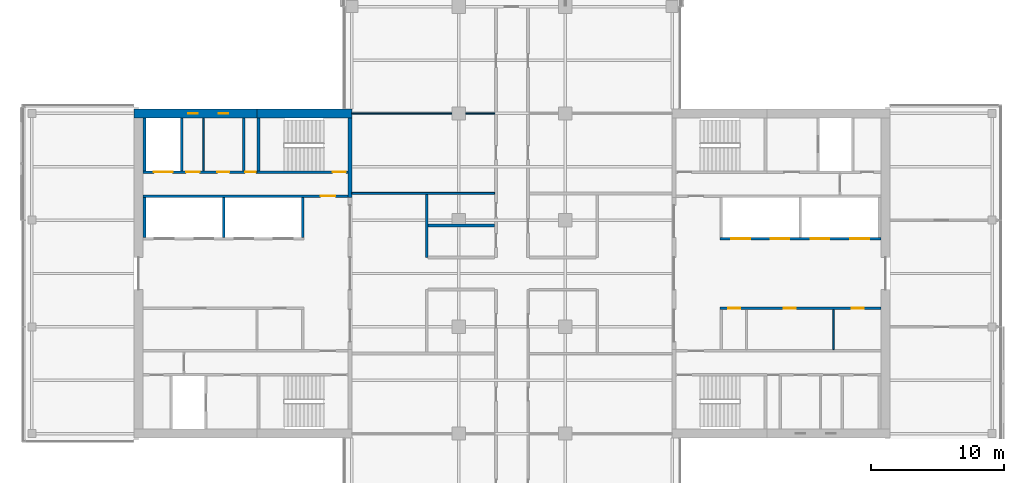
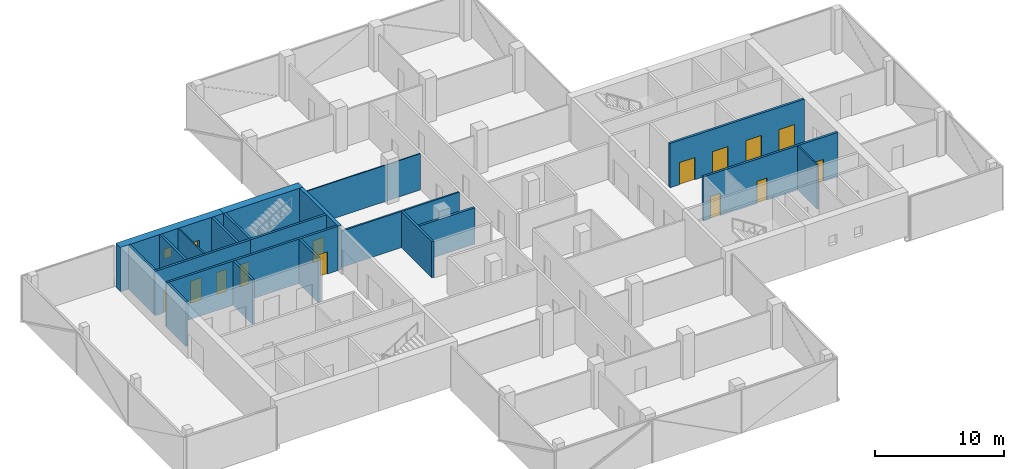
# One storey, part 15 of 22: 21 walls, 13 doors, 2 windows, 15 openings.
"""IFC4 building model written with IfcOpenShell, lengths in metres."""

from ifc_helpers import new_model, si_unit, direction, frame, frame_2d, origin, place, context, subcontext, project, spatial, rectangle, extrude, material, layer, layer_set, constituent, constituent_set, type_object, element, fill, save


model = new_model("IFC4")

# Units and contexts
model_context = context("Model", 3, precision=1e-05, world=origin(), true_north=direction((0.0, 1.0)))
body_context = subcontext(model_context, "Body", "Model", "MODEL_VIEW")
ifc_project = project(units=[si_unit("LENGTHUNIT", "METRE"), si_unit("AREAUNIT", "SQUARE_METRE"), si_unit("VOLUMEUNIT", "CUBIC_METRE"), si_unit("PLANEANGLEUNIT", "RADIAN"), si_unit("MASSUNIT", "GRAM", prefix="KILO")], contexts=[model_context])

# Site, building, storey
site_placement = place(None, origin())
site = spatial("IfcSite", under=ifc_project, at=site_placement, CompositionType="ELEMENT")
building_placement = place(site_placement, origin())
building = spatial("IfcBuilding", under=site, at=building_placement, Name="Crosswind Convention Tower", CompositionType="ELEMENT")
storey_placement = place(building_placement, frame((0.0, 0.0, 137.89990234375)))
storey = spatial("IfcBuildingStorey", under=building, at=storey_placement, Name="L28", CompositionType="ELEMENT", Elevation=137.89990234375)

# Walls
ifc_material_1 = material(Name="Concrete blockwork", Category="masonry")
ifc_layer_1 = layer(ifc_material_1, 0.199951171875)
ifc_layer_set_1 = layer_set([ifc_layer_1], Name="Blockwork partition wall 200")
wall_type_1 = type_object("IfcWallType", Name="Blockwork partition wall 200", PredefinedType="PARTITIONING", material=ifc_layer_set_1)
wall_1_placement = place(storey_placement, frame((104.89990234375, 111.64990234375, 0.0), z_axis=(0.0, 0.0, 1.0), x_axis=(0.0, -1.0, 0.0)))
element("IfcWall", 1, at=wall_1_placement, inside=storey, type_object=wall_type_1, Name="Wall MRSE W L28", PredefinedType="PARTITIONING", context=body_context, shape_type="SweptSolid", body=[
    extrude(rectangle(XDim=3.949951171875, YDim=0.199951171875, at=frame_2d((1.97509765625, 0.0))), origin(), (0.0, 0.0, 1.0), 4.2001953125),
])
ifc_layer_2 = layer(ifc_material_1, 0.199951171875)
ifc_layer_set_2 = layer_set([ifc_layer_2], Name="COMPARTMENT WALL 200 BLOCKWORK")
wall_type_2 = type_object("IfcWallType", Name="COMPARTMENT WALL 200 BLOCKWORK", PredefinedType="SOLIDWALL", material=ifc_layer_set_2)
wall_2_placement = place(storey_placement, frame((118.60009765625, 101.199951171875, 0.0), z_axis=(0.0, 0.0, 1.0), x_axis=(0.0, 1.0, 0.0)))
element("IfcWall", 2, at=wall_2_placement, inside=storey, type_object=wall_type_2, Name="Compartment wall WT42", PredefinedType="SOLIDWALL", context=body_context, shape_type="SweptSolid", body=[
    extrude(rectangle(XDim=4.72509765625, YDim=0.199951171875, at=frame_2d((2.362548828125, 0.0))), origin(), (0.0, 0.0, 1.0), 3.4365234375),
])
wall_3_placement = place(storey_placement, frame((118.699951171875, 103.60009765625, 0.0), z_axis=(0.0, 0.0, 1.0), x_axis=(1.0, 0.0, 0.0)))
element("IfcWall", 3, at=wall_3_placement, inside=storey, type_object=wall_type_2, Name="Compartment wall WT42", PredefinedType="SOLIDWALL", context=body_context, shape_type="SweptSolid", body=[
    extrude(rectangle(XDim=5.0, YDim=0.199951171875, at=frame_2d((2.5, 0.0))), origin(), (0.0, 0.0, 1.0), 3.4365234375),
])
ifc_material_2 = material(Name="Concrete C50/60", Category="concrete")
ifc_layer_3 = layer(ifc_material_2, 0.300048828125)
ifc_layer_set_3 = layer_set([ifc_layer_3], Name="Concrete C50/60")
wall_type_3 = type_object("IfcWallType", Name="Concrete inner core wall 300", PredefinedType="SHEAR", material=ifc_layer_set_3)
wall_4_placement = place(storey_placement, frame((112.85009765625, 111.64990234375, 0.0), z_axis=(0.0, 0.0, 1.0), x_axis=(0.0, -1.0, 0.0)))
element("IfcWall", 4, at=wall_4_placement, inside=storey, type_object=wall_type_3, Name="Wall EM W L28", PredefinedType="SHEAR", context=body_context, shape_type="SweptSolid", body=[
    extrude(rectangle(XDim=5.949951171875, YDim=0.300048828125, at=frame_2d((2.97509765625, 0.0))), origin(), (0.0, 0.0, 1.0), 4.2001953125),
])

# Wall, openings, doors
ifc_layer_4 = layer(ifc_material_2, 0.199951171875)
ifc_layer_set_4 = layer_set([ifc_layer_4], Name="Concrete C50/60")
wall_type_4 = type_object("IfcWallType", Name="Concrete shaft and stair wall 200", PredefinedType="SHEAR", material=ifc_layer_set_4)
wall_5_placement = place(storey_placement, frame((140.60009765625, 102.60009765625, 0.0), z_axis=(0.0, 0.0, 1.0), x_axis=(1.0, 0.0, 0.0)))
wall_5 = element("IfcWall", 5, at=wall_5_placement, inside=storey, type_object=wall_type_4, Name="Wall RPFRONT E L28", PredefinedType="SHEAR", context=body_context, shape_type="SweptSolid", body=[
    extrude(rectangle(XDim=12.0498046875, YDim=0.199951171875, at=frame_2d((6.02490234375, 0.0))), origin(), (0.0, 0.0, 1.0), 4.2001953125),
])
opening_1_placement = place(wall_5_placement, frame((0.85009765625, 0.0, 0.0)))
opening_1 = element("IfcOpeningElement", 6, at=opening_1_placement, cuts=wall_5, Name="Opening LD2", PredefinedType="OPENING", context=body_context, shape_type="SweptSolid", body=[
    extrude(rectangle(XDim=1.39990234375, YDim=2.10009765625, at=frame_2d((0.699951171875, 1.050048828125))), frame((0.0, 0.10986328125, 0.0), z_axis=(0.0, -1.0, 0.0), x_axis=(1.0, 0.0, 0.0)), (0.0, 0.0, 1.0), 0.219970703125),
])
opening_2_placement = place(wall_5_placement, frame((3.800048828125, 0.0, 0.0)))
opening_2 = element("IfcOpeningElement", 7, at=opening_2_placement, cuts=wall_5, Name="Opening LD2", PredefinedType="OPENING", context=body_context, shape_type="SweptSolid", body=[
    extrude(rectangle(XDim=1.39990234375, YDim=2.10009765625, at=frame_2d((0.699951171875, 1.050048828125))), frame((0.0, 0.10986328125, 0.0), z_axis=(0.0, -1.0, 0.0), x_axis=(1.0, 0.0, 0.0)), (0.0, 0.0, 1.0), 0.219970703125),
])
opening_3_placement = place(wall_5_placement, frame((6.800048828125, 0.0, 0.0)))
opening_3 = element("IfcOpeningElement", 8, at=opening_3_placement, cuts=wall_5, Name="Opening LD2", PredefinedType="OPENING", context=body_context, shape_type="SweptSolid", body=[
    extrude(rectangle(XDim=1.39990234375, YDim=2.10009765625, at=frame_2d((0.699951171875, 1.050048828125))), frame((0.0, 0.10986328125, 0.0), z_axis=(0.0, -1.0, 0.0), x_axis=(1.0, 0.0, 0.0)), (0.0, 0.0, 1.0), 0.219970703125),
])
opening_4_placement = place(wall_5_placement, frame((9.77490234375, 0.0, 0.0)))
opening_4 = element("IfcOpeningElement", 9, at=opening_4_placement, cuts=wall_5, Name="Opening LD2", PredefinedType="OPENING", context=body_context, shape_type="SweptSolid", body=[
    extrude(rectangle(XDim=1.39990234375, YDim=2.10009765625, at=frame_2d((0.699951171875, 1.050048828125))), frame((0.0, 0.10986328125, 0.0), z_axis=(0.0, -1.0, 0.0), x_axis=(1.0, 0.0, 0.0)), (0.0, 0.0, 1.0), 0.219970703125),
])
ifc_material_3 = material(Name="Stainless steel", Category="steel")
door_type_1 = type_object("IfcDoorType", Name="Lift landing door 1400x2100", OperationType="DOUBLE_DOOR_SLIDING", PredefinedType="DOOR", material=ifc_material_3)
door_1_placement = place(opening_1_placement, origin())
door_1 = element("IfcDoor", 10, at=door_1_placement, inside=storey, type_object=door_type_1, Name="Landing door A1 L28", ObjectType="LD2", OperationType="DOUBLE_DOOR_SLIDING", OverallHeight=2.10009765625, OverallWidth=1.39990234375, PredefinedType="DOOR", context=body_context, shape_type="SweptSolid", body=[
    extrude(rectangle(XDim=1.39990234375, YDim=2.10009765625, at=frame_2d((0.699951171875, 1.050048828125))), frame((0.0, 0.02490234375, 0.0), z_axis=(0.0, -1.0, 0.0), x_axis=(1.0, 0.0, 0.0)), (0.0, 0.0, 1.0), 0.050048828125),
])
fill(opening_1, door_1)
door_2_placement = place(opening_2_placement, origin())
door_2 = element("IfcDoor", 11, at=door_2_placement, inside=storey, type_object=door_type_1, Name="Landing door A2 L28", ObjectType="LD2", OperationType="DOUBLE_DOOR_SLIDING", OverallHeight=2.10009765625, OverallWidth=1.39990234375, PredefinedType="DOOR", context=body_context, shape_type="SweptSolid", body=[
    extrude(rectangle(XDim=1.39990234375, YDim=2.10009765625, at=frame_2d((0.699951171875, 1.050048828125))), frame((0.0, 0.02490234375, 0.0), z_axis=(0.0, -1.0, 0.0), x_axis=(1.0, 0.0, 0.0)), (0.0, 0.0, 1.0), 0.050048828125),
])
fill(opening_2, door_2)
door_3_placement = place(opening_3_placement, origin())
door_3 = element("IfcDoor", 12, at=door_3_placement, inside=storey, type_object=door_type_1, Name="Landing door A3 L28", ObjectType="LD2", OperationType="DOUBLE_DOOR_SLIDING", OverallHeight=2.10009765625, OverallWidth=1.39990234375, PredefinedType="DOOR", context=body_context, shape_type="SweptSolid", body=[
    extrude(rectangle(XDim=1.39990234375, YDim=2.10009765625, at=frame_2d((0.699951171875, 1.050048828125))), frame((0.0, 0.02490234375, 0.0), z_axis=(0.0, -1.0, 0.0), x_axis=(1.0, 0.0, 0.0)), (0.0, 0.0, 1.0), 0.050048828125),
])
fill(opening_3, door_3)
door_4_placement = place(opening_4_placement, origin())
door_4 = element("IfcDoor", 13, at=door_4_placement, inside=storey, type_object=door_type_1, Name="Landing door A4 L28", ObjectType="LD2", OperationType="DOUBLE_DOOR_SLIDING", OverallHeight=2.10009765625, OverallWidth=1.39990234375, PredefinedType="DOOR", context=body_context, shape_type="SweptSolid", body=[
    extrude(rectangle(XDim=1.39990234375, YDim=2.10009765625, at=frame_2d((0.699951171875, 1.050048828125))), frame((0.0, 0.02490234375, 0.0), z_axis=(0.0, -1.0, 0.0), x_axis=(1.0, 0.0, 0.0)), (0.0, 0.0, 1.0), 0.050048828125),
])
fill(opening_4, door_4)

wall_6_placement = place(storey_placement, frame((140.60009765625, 97.39990234375, 0.0), z_axis=(0.0, 0.0, 1.0), x_axis=(1.0, 0.0, 0.0)))
wall_6 = element("IfcWall", 14, at=wall_6_placement, inside=storey, type_object=wall_type_4, Name="Wall RMFRONT E L28", PredefinedType="SHEAR", context=body_context, shape_type="SweptSolid", body=[
    extrude(rectangle(XDim=12.0498046875, YDim=0.199951171875, at=frame_2d((6.02490234375, 0.0))), origin(), (0.0, 0.0, 1.0), 4.2001953125),
])
opening_5_placement = place(wall_6_placement, frame((0.607421875, 0.0, 0.0)))
opening_5 = element("IfcOpeningElement", 15, at=opening_5_placement, cuts=wall_6, Name="Opening D106", PredefinedType="OPENING", context=body_context, shape_type="SweptSolid", body=[
    extrude(rectangle(XDim=0.89990234375, YDim=2.10009765625, at=frame_2d((0.449951171875, 1.050048828125))), frame((0.0, 0.10986328125, 0.0), z_axis=(0.0, -1.0, 0.0), x_axis=(1.0, 0.0, 0.0)), (0.0, 0.0, 1.0), 0.219970703125),
])
opening_6_placement = place(wall_6_placement, frame((4.7861328125, 0.0, 0.0)))
opening_6 = element("IfcOpeningElement", 16, at=opening_6_placement, cuts=wall_6, Name="Opening D106", PredefinedType="OPENING", context=body_context, shape_type="SweptSolid", body=[
    extrude(rectangle(XDim=0.89990234375, YDim=2.10009765625, at=frame_2d((0.449951171875, 1.050048828125))), frame((0.0, 0.10986328125, 0.0), z_axis=(0.0, -1.0, 0.0), x_axis=(1.0, 0.0, 0.0)), (0.0, 0.0, 1.0), 0.219970703125),
])
opening_7_placement = place(wall_6_placement, frame((9.853759765625, 0.0, 0.0)))
opening_7 = element("IfcOpeningElement", 17, at=opening_7_placement, cuts=wall_6, Name="Opening D106", PredefinedType="OPENING", context=body_context, shape_type="SweptSolid", body=[
    extrude(rectangle(XDim=0.89990234375, YDim=2.10009765625, at=frame_2d((0.449951171875, 1.050048828125))), frame((0.0, 0.10986328125, 0.0), z_axis=(0.0, -1.0, 0.0), x_axis=(1.0, 0.0, 0.0)), (0.0, 0.0, 1.0), 0.219970703125),
])
ifc_material_4 = material(Name="Timber door", Category="wood")
door_type_2 = type_object("IfcDoorType", Name="Single leaf door 900x2100", OperationType="NOTDEFINED", PredefinedType="DOOR", material=ifc_material_4)
door_5_placement = place(opening_5_placement, frame((0.89990234375, 0.0, 0.0), z_axis=(0.0, 0.0, 1.0), x_axis=(-1.0, 0.0, 0.0)))
door_5 = element("IfcDoor", 18, at=door_5_placement, inside=storey, type_object=door_type_2, Name="Door to storeroom L28", ObjectType="D106", OperationType="SINGLE_SWING_LEFT", OverallHeight=2.10009765625, OverallWidth=0.89990234375, PredefinedType="DOOR", context=body_context, shape_type="SweptSolid", body=[
    extrude(rectangle(XDim=0.89990234375, YDim=2.10009765625, at=frame_2d((0.449951171875, 1.050048828125))), frame((0.0, 0.02490234375, 0.0), z_axis=(0.0, -1.0, 0.0), x_axis=(1.0, 0.0, 0.0)), (0.0, 0.0, 1.0), 0.050048828125),
])
fill(opening_5, door_5)
door_6_placement = place(opening_6_placement, frame((0.89990234375, 0.0, 0.0), z_axis=(0.0, 0.0, 1.0), x_axis=(-1.0, 0.0, 0.0)))
door_6 = element("IfcDoor", 19, at=door_6_placement, inside=storey, type_object=door_type_2, Name="Door to tenant services room L28", ObjectType="D106", OperationType="SINGLE_SWING_LEFT", OverallHeight=2.10009765625, OverallWidth=0.89990234375, PredefinedType="DOOR", context=body_context, shape_type="SweptSolid", body=[
    extrude(rectangle(XDim=0.89990234375, YDim=2.10009765625, at=frame_2d((0.449951171875, 1.050048828125))), frame((0.0, 0.02490234375, 0.0), z_axis=(0.0, -1.0, 0.0), x_axis=(1.0, 0.0, 0.0)), (0.0, 0.0, 1.0), 0.050048828125),
])
fill(opening_6, door_6)
door_7_placement = place(opening_7_placement, frame((0.89990234375, 0.0, 0.0), z_axis=(0.0, 0.0, 1.0), x_axis=(-1.0, 0.0, 0.0)))
door_7 = element("IfcDoor", 20, at=door_7_placement, inside=storey, type_object=door_type_2, Name="Door to copy and print room L28", ObjectType="D106", OperationType="SINGLE_SWING_LEFT", OverallHeight=2.10009765625, OverallWidth=0.89990234375, PredefinedType="DOOR", context=body_context, shape_type="SweptSolid", body=[
    extrude(rectangle(XDim=0.89990234375, YDim=2.10009765625, at=frame_2d((0.449951171875, 1.050048828125))), frame((0.0, 0.02490234375, 0.0), z_axis=(0.0, -1.0, 0.0), x_axis=(1.0, 0.0, 0.0)), (0.0, 0.0, 1.0), 0.050048828125),
])
fill(opening_7, door_7)

# Walls
for number, where, z_axis, x_axis, name in (
    (21, (109.300048828125, 105.699951171875, 0.0), (0.0, 0.0, 1.0), (0.0, -1.0, 0.0), "Wall RMEND W L28"),
    (22, (103.39990234375, 105.699951171875, 0.0), (0.0, 0.0, 1.0), (0.0, -1.0, 0.0), "Wall RMSEP W L28"),
    (23, (97.449951171875, 105.699951171875, 0.0), (0.0, 0.0, 1.0), (0.0, -1.0, 0.0), "Wall RMEAST W L28"),
):
    element("IfcWall", number, at=place(storey_placement, frame(where, z_axis=z_axis, x_axis=x_axis)), inside=storey, type_object=wall_type_4, Name=name, PredefinedType="SHEAR", context=body_context, shape_type="SweptSolid", body=[
        extrude(rectangle(XDim=3.0, YDim=0.199951171875, at=frame_2d((1.5, 0.0))), origin(), (0.0, 0.0, 1.0), 4.2001953125),
    ])

# Wall, opening, door
wall_7_placement = place(storey_placement, frame((112.699951171875, 105.800048828125, 0.0), z_axis=(0.0, 0.0, 1.0), x_axis=(-1.0, 0.0, 0.0)))
wall_7 = element("IfcWall", 24, at=wall_7_placement, inside=storey, type_object=wall_type_4, Name="Wall HM W L28", PredefinedType="SHEAR", context=body_context, shape_type="SweptSolid", body=[
    extrude(rectangle(XDim=15.349853515625, YDim=0.199951171875, at=frame_2d((7.6748046875, 0.0))), origin(), (0.0, 0.0, 1.0), 4.2001953125),
])
opening_8_placement = place(wall_7_placement, frame((0.949951171875, 0.0, 0.0)))
opening_8 = element("IfcOpeningElement", 25, at=opening_8_placement, cuts=wall_7, Name="Opening D104", PredefinedType="OPENING", context=body_context, shape_type="SweptSolid", body=[
    extrude(rectangle(XDim=1.10009765625, YDim=2.10009765625, at=frame_2d((0.550048828125, 1.050048828125))), frame((0.0, 0.10986328125, 0.0), z_axis=(0.0, -1.0, 0.0), x_axis=(1.0, 0.0, 0.0)), (0.0, 0.0, 1.0), 0.219970703125),
])
ifc_material_5 = material(Name="Steel fire door", Category="steel")
door_type_3 = type_object("IfcDoorType", Name="Fire-rated single door 1100x2100", OperationType="NOTDEFINED", PredefinedType="DOOR", material=ifc_material_5)
door_8_placement = place(opening_8_placement, origin())
door_8 = element("IfcDoor", 26, at=door_8_placement, inside=storey, type_object=door_type_3, Name="Corridor door L28", ObjectType="D104", OperationType="SINGLE_SWING_LEFT", OverallHeight=2.10009765625, OverallWidth=1.10009765625, PredefinedType="DOOR", context=body_context, shape_type="SweptSolid", body=[
    extrude(rectangle(XDim=1.10009765625, YDim=2.10009765625, at=frame_2d((0.550048828125, 1.050048828125))), frame((0.0, 0.02490234375, 0.0), z_axis=(0.0, -1.0, 0.0), x_axis=(1.0, 0.0, 0.0)), (0.0, 0.0, 1.0), 0.050048828125),
])
fill(opening_8, door_8)

# Walls
for number, where, z_axis, x_axis, name in (
    (27, (106.0, 111.64990234375, 0.0), (0.0, 0.0, 1.0), (0.0, -1.0, 0.0), "Wall MSE W L28"),
    (28, (100.25, 111.64990234375, 0.0), (0.0, 0.0, 1.0), (0.0, -1.0, 0.0), "Wall MFSW W L28"),
    (29, (97.449951171875, 111.64990234375, 0.0), (0.0, 0.0, 1.0), (0.0, -1.0, 0.0), "Wall MFSE W L28"),
):
    element("IfcWall", number, at=place(storey_placement, frame(where, z_axis=z_axis, x_axis=x_axis)), inside=storey, type_object=wall_type_4, Name=name, PredefinedType="SHEAR", context=body_context, shape_type="SweptSolid", body=[
        extrude(rectangle(XDim=3.949951171875, YDim=0.199951171875, at=frame_2d((1.97509765625, 0.0))), origin(), (0.0, 0.0, 1.0), 4.2001953125),
    ])

# Wall, opening, door
wall_8_placement = place(storey_placement, frame((112.699951171875, 107.60009765625, 0.0), z_axis=(0.0, 0.0, 1.0), x_axis=(-1.0, 0.0, 0.0)))
wall_8 = element("IfcWall", 30, at=wall_8_placement, inside=storey, type_object=wall_type_4, Name="Wall MCW W L28", PredefinedType="SHEAR", context=body_context, shape_type="SweptSolid", body=[
    extrude(rectangle(XDim=6.800048828125, YDim=0.199951171875, at=frame_2d((3.39990234375, 0.0))), origin(), (0.0, 0.0, 1.0), 4.2001953125),
])
opening_9_placement = place(wall_8_placement, frame((0.14990234375, 0.0, 0.0)))
opening_9 = element("IfcOpeningElement", 31, at=opening_9_placement, cuts=wall_8, Name="Opening D103", PredefinedType="OPENING", context=body_context, shape_type="SweptSolid", body=[
    extrude(rectangle(XDim=1.0, YDim=2.10009765625, at=frame_2d((0.5, 1.050048828125))), frame((0.0, 0.10986328125, 0.0), z_axis=(0.0, -1.0, 0.0), x_axis=(1.0, 0.0, 0.0)), (0.0, 0.0, 1.0), 0.219970703125),
])
door_type_4 = type_object("IfcDoorType", Name="Fire-rated single door 1000x2100", OperationType="NOTDEFINED", PredefinedType="DOOR", material=ifc_material_5)
door_9_placement = place(opening_9_placement, frame((1.0, 0.0, 0.0), z_axis=(0.0, 0.0, 1.0), x_axis=(-1.0, 0.0, 0.0)))
door_9 = element("IfcDoor", 32, at=door_9_placement, inside=storey, type_object=door_type_4, Name="Stair ST4 door L28", ObjectType="D103", OperationType="SINGLE_SWING_RIGHT", OverallHeight=2.10009765625, OverallWidth=1.0, PredefinedType="DOOR", context=body_context, shape_type="SweptSolid", body=[
    extrude(rectangle(XDim=1.0, YDim=2.10009765625, at=frame_2d((0.5, 1.050048828125))), frame((0.0, 0.02490234375, 0.0), z_axis=(0.0, -1.0, 0.0), x_axis=(1.0, 0.0, 0.0)), (0.0, 0.0, 1.0), 0.050048828125),
])
fill(opening_9, door_9)

# Wall, openings, doors
wall_9_placement = place(storey_placement, frame((105.89990234375, 107.60009765625, 0.0), z_axis=(0.0, 0.0, 1.0), x_axis=(-1.0, 0.0, 0.0)))
wall_9 = element("IfcWall", 33, at=wall_9_placement, inside=storey, type_object=wall_type_4, Name="Wall MCX W L28", PredefinedType="SHEAR", context=body_context, shape_type="SweptSolid", body=[
    extrude(rectangle(XDim=8.5498046875, YDim=0.199951171875, at=frame_2d((4.27490234375, 0.0))), origin(), (0.0, 0.0, 1.0), 4.2001953125),
])
opening_10_placement = place(wall_9_placement, frame((0.10009765625, 0.0, 0.0)))
opening_10 = element("IfcOpeningElement", 34, at=opening_10_placement, cuts=wall_9, Name="Opening D105", PredefinedType="OPENING", context=body_context, shape_type="SweptSolid", body=[
    extrude(rectangle(XDim=0.800048828125, YDim=2.10009765625, at=frame_2d((0.39990234375, 1.050048828125))), frame((0.0, 0.10986328125, 0.0), z_axis=(0.0, -1.0, 0.0), x_axis=(1.0, 0.0, 0.0)), (0.0, 0.0, 1.0), 0.219970703125),
])
opening_11_placement = place(wall_9_placement, frame((2.087158203125, 0.0, 0.0)))
opening_11 = element("IfcOpeningElement", 35, at=opening_11_placement, cuts=wall_9, Name="Opening D106", PredefinedType="OPENING", context=body_context, shape_type="SweptSolid", body=[
    extrude(rectangle(XDim=0.89990234375, YDim=2.10009765625, at=frame_2d((0.449951171875, 1.050048828125))), frame((0.0, 0.10986328125, 0.0), z_axis=(0.0, -1.0, 0.0), x_axis=(1.0, 0.0, 0.0)), (0.0, 0.0, 1.0), 0.219970703125),
])
opening_12_placement = place(wall_9_placement, frame((4.32470703125, 0.0, 0.0)))
opening_12 = element("IfcOpeningElement", 36, at=opening_12_placement, cuts=wall_9, Name="Opening D103", PredefinedType="OPENING", context=body_context, shape_type="SweptSolid", body=[
    extrude(rectangle(XDim=1.0, YDim=2.10009765625, at=frame_2d((0.5, 1.050048828125))), frame((0.0, 0.10986328125, 0.0), z_axis=(0.0, -1.0, 0.0), x_axis=(1.0, 0.0, 0.0)), (0.0, 0.0, 1.0), 0.219970703125),
])
opening_13_placement = place(wall_9_placement, frame((6.35009765625, 0.0, 0.0)))
opening_13 = element("IfcOpeningElement", 37, at=opening_13_placement, cuts=wall_9, Name="Opening LD2", PredefinedType="OPENING", context=body_context, shape_type="SweptSolid", body=[
    extrude(rectangle(XDim=1.39990234375, YDim=2.10009765625, at=frame_2d((0.699951171875, 1.050048828125))), frame((0.0, 0.10986328125, 0.0), z_axis=(0.0, -1.0, 0.0), x_axis=(1.0, 0.0, 0.0)), (0.0, 0.0, 1.0), 0.219970703125),
])
door_10_placement = place(opening_12_placement, frame((1.0, 0.0, 0.0), z_axis=(0.0, 0.0, 1.0), x_axis=(-1.0, 0.0, 0.0)))
door_10 = element("IfcDoor", 38, at=door_10_placement, inside=storey, type_object=door_type_4, Name="Door to accessible wc L28", ObjectType="D103", OperationType="SINGLE_SWING_LEFT", OverallHeight=2.10009765625, OverallWidth=1.0, PredefinedType="DOOR", context=body_context, shape_type="SweptSolid", body=[
    extrude(rectangle(XDim=1.0, YDim=2.10009765625, at=frame_2d((0.5, 1.050048828125))), frame((0.0, 0.02490234375, 0.0), z_axis=(0.0, -1.0, 0.0), x_axis=(1.0, 0.0, 0.0)), (0.0, 0.0, 1.0), 0.050048828125),
])
fill(opening_12, door_10)
door_11_placement = place(opening_13_placement, origin())
door_11 = element("IfcDoor", 39, at=door_11_placement, inside=storey, type_object=door_type_1, Name="Landing door SV2 L28", ObjectType="LD2", OperationType="DOUBLE_DOOR_SLIDING", OverallHeight=2.10009765625, OverallWidth=1.39990234375, PredefinedType="DOOR", context=body_context, shape_type="SweptSolid", body=[
    extrude(rectangle(XDim=1.39990234375, YDim=2.10009765625, at=frame_2d((0.699951171875, 1.050048828125))), frame((0.0, 0.02490234375, 0.0), z_axis=(0.0, -1.0, 0.0), x_axis=(1.0, 0.0, 0.0)), (0.0, 0.0, 1.0), 0.050048828125),
])
fill(opening_13, door_11)
door_type_5 = type_object("IfcDoorType", Name="Riser access door 800x2100", OperationType="NOTDEFINED", PredefinedType="DOOR", material=ifc_material_5)
door_12_placement = place(opening_10_placement, frame((0.800048828125, 0.0, 0.0), z_axis=(0.0, 0.0, 1.0), x_axis=(-1.0, 0.0, 0.0)))
door_12 = element("IfcDoor", 40, at=door_12_placement, inside=storey, type_object=door_type_5, Name="Riser door L28", ObjectType="D105", OperationType="SINGLE_SWING_LEFT", OverallHeight=2.10009765625, OverallWidth=0.800048828125, PredefinedType="DOOR", context=body_context, shape_type="SweptSolid", body=[
    extrude(rectangle(XDim=0.800048828125, YDim=2.10009765625, at=frame_2d((0.39990234375, 1.050048828125))), frame((0.0, 0.02490234375, 0.0), z_axis=(0.0, -1.0, 0.0), x_axis=(1.0, 0.0, 0.0)), (0.0, 0.0, 1.0), 0.050048828125),
])
fill(opening_10, door_12)
door_13_placement = place(opening_11_placement, frame((0.89990234375, 0.0, 0.0), z_axis=(0.0, 0.0, 1.0), x_axis=(-1.0, 0.0, 0.0)))
door_13 = element("IfcDoor", 41, at=door_13_placement, inside=storey, type_object=door_type_2, Name="Door to wc L28", ObjectType="D106", OperationType="SINGLE_SWING_LEFT", OverallHeight=2.10009765625, OverallWidth=0.89990234375, PredefinedType="DOOR", context=body_context, shape_type="SweptSolid", body=[
    extrude(rectangle(XDim=0.89990234375, YDim=2.10009765625, at=frame_2d((0.449951171875, 1.050048828125))), frame((0.0, 0.02490234375, 0.0), z_axis=(0.0, -1.0, 0.0), x_axis=(1.0, 0.0, 0.0)), (0.0, 0.0, 1.0), 0.050048828125),
])
fill(opening_11, door_13)

# Walls
ifc_material_6 = material(Name="Gypsum plasterboard partition", Category="gypsum")
ifc_layer_5 = layer(ifc_material_6, 0.125)
ifc_layer_set_5 = layer_set([ifc_layer_5], Name="Drywall partition wall 125")
wall_type_5 = type_object("IfcWallType", Name="Drywall partition wall 125", PredefinedType="PARTITIONING", material=ifc_layer_set_5)
wall_10_placement = place(storey_placement, frame((149.094970703125, 94.300048828125, 0.0), z_axis=(0.0, 0.0, 1.0), x_axis=(0.0, 1.0, 0.0)))
element("IfcWall", 42, at=wall_10_placement, inside=storey, type_object=wall_type_5, Name="Wall RMP2 E L28", PredefinedType="PARTITIONING", context=body_context, shape_type="SweptSolid", body=[
    extrude(rectangle(XDim=3.0, YDim=0.125, at=frame_2d((1.5, 0.0))), origin(), (0.0, 0.0, 1.0), 4.2001953125),
])
wall_11_placement = place(storey_placement, frame((101.863037109375, 111.64990234375, 0.0), z_axis=(0.0, 0.0, 1.0), x_axis=(0.0, -1.0, 0.0)))
element("IfcWall", 43, at=wall_11_placement, inside=storey, type_object=wall_type_5, Name="Wall MWP1 W L28", PredefinedType="PARTITIONING", context=body_context, shape_type="SweptSolid", body=[
    extrude(rectangle(XDim=3.949951171875, YDim=0.125, at=frame_2d((1.97509765625, 0.0))), origin(), (0.0, 0.0, 1.0), 4.2001953125),
])
ifc_material_7 = material(Name="Plasterboard partition", Category="gypsum")
ifc_layer_6 = layer(ifc_material_7, 0.10009765625)
ifc_layer_set_6 = layer_set([ifc_layer_6], Name="PARTITION 100 METAL STUD")
wall_type_6 = type_object("IfcWallType", Name="PARTITION 100 METAL STUD", PredefinedType="PARTITIONING", material=ifc_layer_set_6)
wall_12_placement = place(storey_placement, frame((113.0, 112.0, 0.0), z_axis=(0.0, 0.0, 1.0), x_axis=(1.0, 0.0, 0.0)))
element("IfcWall", 44, at=wall_12_placement, inside=storey, type_object=wall_type_6, Name="Partition wall WT40", PredefinedType="PARTITIONING", context=body_context, shape_type="SweptSolid", body=[
    extrude(rectangle(XDim=10.699951171875, YDim=0.10009765625, at=frame_2d((5.35009765625, 0.0))), origin(), (0.0, 0.0, 1.0), 3.4365234375),
])
ifc_material_8 = material(Name="Fire-board partition with mineral wool", Category="gypsum")
ifc_layer_7 = layer(ifc_material_8, 0.14990234375)
ifc_layer_set_7 = layer_set([ifc_layer_7], Name="TENANCY WALL 150 TWO-HOUR BOARD")
wall_type_7 = type_object("IfcWallType", Name="TENANCY WALL 150 TWO-HOUR BOARD", PredefinedType="PARTITIONING", material=ifc_layer_set_7)
wall_13_placement = place(storey_placement, frame((113.0, 106.0, 0.0), z_axis=(0.0, 0.0, 1.0), x_axis=(1.0, 0.0, 0.0)))
element("IfcWall", 45, at=wall_13_placement, inside=storey, type_object=wall_type_7, Name="Tenancy wall WT41", PredefinedType="PARTITIONING", context=body_context, shape_type="SweptSolid", body=[
    extrude(rectangle(XDim=10.699951171875, YDim=0.14990234375, at=frame_2d((5.35009765625, 0.0))), origin(), (0.0, 0.0, 1.0), 3.4365234375),
])
ifc_material_9 = material(Name="Concrete C60/75", Category="concrete")
ifc_constituent_1 = constituent(ifc_material_9, Name="Structure")
ifc_material_10 = material(Name="Terracotta rainscreen", Category="ceramic")
ifc_constituent_2 = constituent(ifc_material_10, Name="Facing")
ifc_constituent_set = constituent_set(constituents=[ifc_constituent_1, ifc_constituent_2], Name="Concrete C60/75, Terracotta rainscreen")
wall_type_8 = type_object("IfcWallType", Name="Terracotta rainscreen on concrete core wall 700", PredefinedType="SHEAR", material=ifc_constituent_set)
wall_14_placement = place(storey_placement, frame((113.0, 112.0, 0.0), z_axis=(0.0, 0.0, 1.0), x_axis=(-1.0, 0.0, 0.0)))
element("IfcWall", 46, at=wall_14_placement, inside=storey, type_object=wall_type_8, Name="Wall S1 W L28", PredefinedType="SHEAR", context=body_context, shape_type="SweptSolid", body=[
    extrude(rectangle(XDim=7.10009765625, YDim=0.699951171875, at=frame_2d((3.550048828125, 0.0))), origin(), (0.0, 0.0, 1.0), 4.2001953125),
])

# Wall, openings, windows
wall_15_placement = place(storey_placement, frame((105.89990234375, 112.0, 0.0), z_axis=(0.0, 0.0, 1.0), x_axis=(-1.0, 0.0, 0.0)))
wall_15 = element("IfcWall", 47, at=wall_15_placement, inside=storey, type_object=wall_type_8, Name="Wall S2 W L28", PredefinedType="SHEAR", context=body_context, shape_type="SweptSolid", body=[
    extrude(rectangle(XDim=9.25, YDim=0.699951171875, at=frame_2d((4.625, 0.0))), origin(), (0.0, 0.0, 1.0), 4.2001953125),
])
opening_14_placement = place(wall_15_placement, frame((2.187255859375, 0.0, 1.5)))
opening_14 = element("IfcOpeningElement", 48, at=opening_14_placement, cuts=wall_15, Name="Opening W2", PredefinedType="OPENING", context=body_context, shape_type="SweptSolid", body=[
    extrude(rectangle(XDim=0.699951171875, YDim=0.89990234375, at=frame_2d((0.35009765625, 0.449951171875))), frame((0.0, 0.35986328125, 0.0), z_axis=(0.0, -1.0, 0.0), x_axis=(1.0, 0.0, 0.0)), (0.0, 0.0, 1.0), 0.719970703125),
])
opening_15_placement = place(wall_15_placement, frame((4.474853515625, 0.0, 1.5)))
opening_15 = element("IfcOpeningElement", 49, at=opening_15_placement, cuts=wall_15, Name="Opening W2", PredefinedType="OPENING", context=body_context, shape_type="SweptSolid", body=[
    extrude(rectangle(XDim=0.699951171875, YDim=0.89990234375, at=frame_2d((0.35009765625, 0.449951171875))), frame((0.0, 0.35986328125, 0.0), z_axis=(0.0, -1.0, 0.0), x_axis=(1.0, 0.0, 0.0)), (0.0, 0.0, 1.0), 0.719970703125),
])
ifc_material_11 = material(Name="Obscure glass in aluminium frame", Category="aluminium")
window_type = type_object("IfcWindowType", Name="WC window 700x900", PartitioningType="SINGLE_PANEL", PredefinedType="WINDOW", material=ifc_material_11)
window_1_placement = place(opening_14_placement, origin())
window_1 = element("IfcWindow", 50, at=window_1_placement, inside=storey, type_object=window_type, Name="WC window L28", ObjectType="W2", OverallHeight=0.89990234375, OverallWidth=0.699951171875, PartitioningType="SINGLE_PANEL", PredefinedType="WINDOW", context=body_context, shape_type="SweptSolid", body=[
    extrude(rectangle(XDim=0.699951171875, YDim=0.89990234375, at=frame_2d((0.35009765625, 0.449951171875))), frame((0.0, 0.030029296875, 0.0), z_axis=(0.0, -1.0, 0.0), x_axis=(1.0, 0.0, 0.0)), (0.0, 0.0, 1.0), 0.06005859375),
])
fill(opening_14, window_1)
window_2_placement = place(opening_15_placement, origin())
window_2 = element("IfcWindow", 51, at=window_2_placement, inside=storey, type_object=window_type, Name="WC window L28", ObjectType="W2", OverallHeight=0.89990234375, OverallWidth=0.699951171875, PartitioningType="SINGLE_PANEL", PredefinedType="WINDOW", context=body_context, shape_type="SweptSolid", body=[
    extrude(rectangle(XDim=0.699951171875, YDim=0.89990234375, at=frame_2d((0.35009765625, 0.449951171875))), frame((0.0, 0.030029296875, 0.0), z_axis=(0.0, -1.0, 0.0), x_axis=(1.0, 0.0, 0.0)), (0.0, 0.0, 1.0), 0.06005859375),
])
fill(opening_15, window_2)

save(model, "model.ifc")
